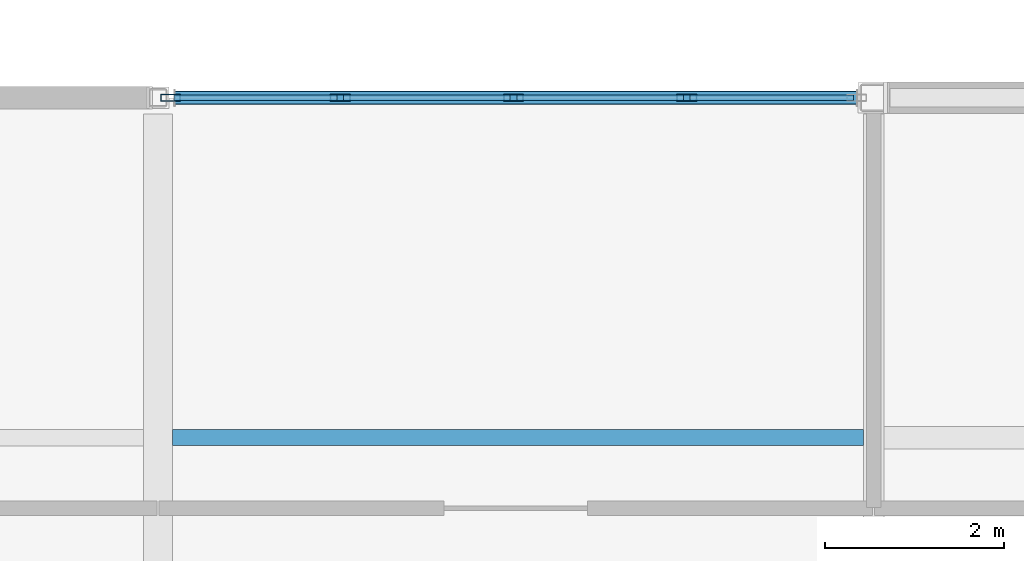
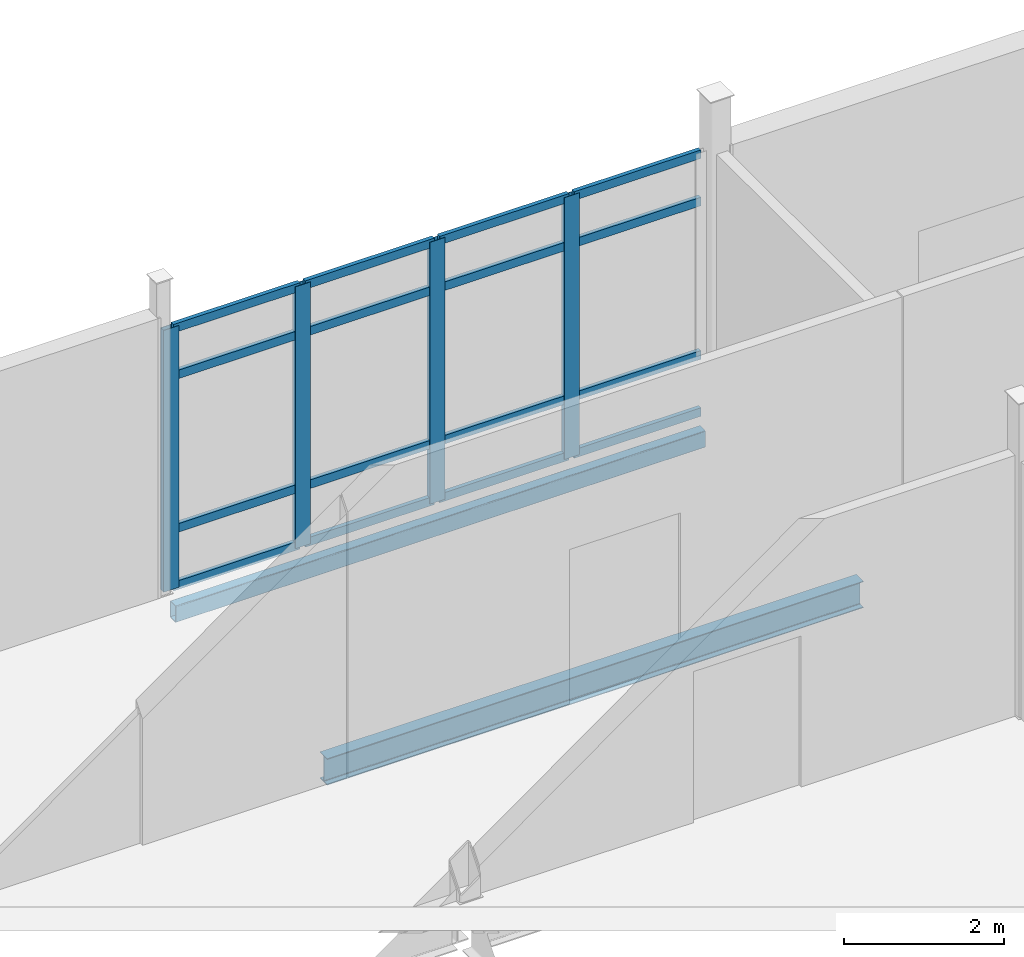
# One storey, part 65 of 186: 20 members, 2 beams, 1 element without a shape of its own.
"""IFC4 building model written with IfcOpenShell, lengths in metres."""

from ifc_helpers import new_model, si_unit, direction, frame, origin, origin_2d, place, context, subcontext, project, spatial, hollow_rectangle, i_section, extrude, material, layer, layer_set, material_profile, profile_set, type_object, element, aggregate, save


model = new_model("IFC4")

# Units and contexts
model_context = context("Model", 3, precision=1e-05, world=origin(), true_north=direction((0.0, 1.0)))
body_context = subcontext(model_context, "Body", "Model", "MODEL_VIEW")
ifc_project = project(units=[si_unit("LENGTHUNIT", "METRE"), si_unit("AREAUNIT", "SQUARE_METRE"), si_unit("VOLUMEUNIT", "CUBIC_METRE"), si_unit("PLANEANGLEUNIT", "RADIAN"), si_unit("MASSUNIT", "GRAM", prefix="KILO")], contexts=[model_context])

# Site, building, storey
site_placement = place(None, origin())
site = spatial("IfcSite", under=ifc_project, at=site_placement, CompositionType="ELEMENT")
building_placement = place(site_placement, origin())
building = spatial("IfcBuilding", under=site, at=building_placement, Name="Calvrana Isthmian Art Gallery", CompositionType="ELEMENT")
storey_placement = place(building_placement, frame((0.0, 0.0, 5.39990234375)))
storey = spatial("IfcBuildingStorey", under=building, at=storey_placement, Name="L01", CompositionType="ELEMENT", Elevation=5.39990234375)

# Beams
ifc_material_1 = material(Name="Steel ASTM A992 Gr 50", Category="steel")
ifc_material_profile_1 = material_profile(ifc_material_1, i_section(OverallWidth=0.177978515625, OverallDepth=0.404052734375, WebThickness=0.007568359375, FlangeThickness=0.010986328125, FilletRadius=0.01806640625, at=origin_2d()), Name="W16X36")
ifc_profile_set_1 = profile_set([ifc_material_profile_1], Name="Steel ASTM A992 Gr 50")
beam_type_1 = type_object("IfcBeamType", Name="BM-J-W16X36", PredefinedType="JOIST", material=ifc_profile_set_1)
beam_1_placement = place(storey_placement, frame((88.5625, 58.199951171875, -0.447021484375), z_axis=(1.0, 0.0, 0.0), x_axis=(0.0, 1.0, 0.0)))
element("IfcBeam", 1, at=beam_1_placement, inside=storey, type_object=beam_type_1, Name="Composite joist L01 bay 11-07", PredefinedType="JOIST", context=body_context, shape_type="SweptSolid", body=[
    extrude(i_section(OverallWidth=0.177978515625, OverallDepth=0.404052734375, WebThickness=0.007568359375, FlangeThickness=0.010986328125, FilletRadius=0.01806640625, at=origin_2d()), origin(), (0.0, 0.0, 1.0), 7.723388671875),
])
ifc_material_2 = material(Name="Steel ASTM A500 Gr C", Category="steel")
ifc_material_profile_2 = material_profile(ifc_material_2, hollow_rectangle(XDim=0.15234375, YDim=0.25390625, WallThickness=0.009521484375, OuterFilletRadius=0.01904296875, at=origin_2d()), Name="HSS254X152X9.5")
ifc_profile_set_2 = profile_set([ifc_material_profile_2], Name="Steel ASTM A500 Gr C")
beam_type_2 = type_object("IfcBeamType", Name="BM-SP-HSS254", PredefinedType="SPANDREL", material=ifc_profile_set_2)
beam_2_placement = place(storey_placement, frame((88.58642578125, 62.0, -0.371826171875), z_axis=(1.0, 0.0, 0.0), x_axis=(0.0, 1.0, 0.0)))
element("IfcBeam", 2, at=beam_2_placement, inside=storey, type_object=beam_type_2, Name="Girder X L01 12-13/I", PredefinedType="SPANDREL", context=body_context, shape_type="SweptSolid", body=[
    extrude(hollow_rectangle(XDim=0.15234375, YDim=0.25390625, WallThickness=0.009521484375, OuterFilletRadius=0.01904296875, at=origin_2d()), origin(), (0.0, 0.0, 1.0), 7.628173828125),
])

# Curtain wall, members
ifc_material_3 = material(Name="Anodized bronze aluminium 6063-T6", Category="aluminium")
ifc_layer = layer(ifc_material_3, 0.179931640625, Name="Anodized bronze aluminium 6063-T6")
ifc_layer_set = layer_set([ifc_layer], Name="Anodized bronze aluminium 6063-T6")
curtain_wall_type = type_object("IfcCurtainWallType", Name="CW-STICK-077X40", PredefinedType="NOTDEFINED", material=ifc_layer_set)
curtain_wall_placement = place(storey_placement, origin())
curtain_wall = element("IfcCurtainWall", 3, at=curtain_wall_placement, inside=storey, type_object=curtain_wall_type, Name="Curtain wall CW-106", PredefinedType="NOTDEFINED")
ifc_material_profile_3 = material_profile(ifc_material_3, hollow_rectangle(XDim=0.074951171875, YDim=0.219970703125, WallThickness=0.0048828125, at=origin_2d()), Name="CWM75X220")
ifc_profile_set_3 = profile_set([ifc_material_profile_3], Name="Anodized bronze aluminium 6063-T6")
member_type_1 = type_object("IfcMemberType", Name="CWM-CWM75X220", PredefinedType="MULLION", material=ifc_profile_set_3)
member_1_placement = place(storey_placement, frame((88.5390625, 62.0, 0.0), z_axis=(0.0, 0.0, 1.0), x_axis=(0.0, 1.0, 0.0)))
member_1 = element("IfcMember", 4, at=member_1_placement, type_object=member_type_1, Name="CW-106 mullion 1", PredefinedType="MULLION", context=body_context, shape_type="SweptSolid", body=[
    extrude(hollow_rectangle(XDim=0.074951171875, YDim=0.219970703125, WallThickness=0.0048828125, at=origin_2d()), origin(), (0.0, 0.0, 1.0), 3.987060546875),
])
member_2_placement = place(storey_placement, frame((90.43798828125, 62.0, 0.0), z_axis=(0.0, 0.0, 1.0), x_axis=(0.0, 1.0, 0.0)))
member_2 = element("IfcMember", 5, at=member_2_placement, type_object=member_type_1, Name="CW-106 mullion 2", PredefinedType="MULLION", context=body_context, shape_type="SweptSolid", body=[
    extrude(hollow_rectangle(XDim=0.074951171875, YDim=0.219970703125, WallThickness=0.0048828125, at=origin_2d()), origin(), (0.0, 0.0, 1.0), 3.987060546875),
])
member_3_placement = place(storey_placement, frame((92.37451171875, 62.0, 0.0), z_axis=(0.0, 0.0, 1.0), x_axis=(0.0, 1.0, 0.0)))
member_3 = element("IfcMember", 6, at=member_3_placement, type_object=member_type_1, Name="CW-106 mullion 3", PredefinedType="MULLION", context=body_context, shape_type="SweptSolid", body=[
    extrude(hollow_rectangle(XDim=0.074951171875, YDim=0.219970703125, WallThickness=0.0048828125, at=origin_2d()), origin(), (0.0, 0.0, 1.0), 3.987060546875),
])
member_4_placement = place(storey_placement, frame((94.31103515625, 62.0, 0.0), z_axis=(0.0, 0.0, 1.0), x_axis=(0.0, 1.0, 0.0)))
member_4 = element("IfcMember", 7, at=member_4_placement, type_object=member_type_1, Name="CW-106 mullion 4", PredefinedType="MULLION", context=body_context, shape_type="SweptSolid", body=[
    extrude(hollow_rectangle(XDim=0.074951171875, YDim=0.219970703125, WallThickness=0.0048828125, at=origin_2d()), origin(), (0.0, 0.0, 1.0), 3.987060546875),
])
ifc_material_profile_4 = material_profile(ifc_material_3, hollow_rectangle(XDim=0.06005859375, YDim=0.1298828125, WallThickness=0.00390625, at=origin_2d()), Name="CWT60X130")
ifc_profile_set_4 = profile_set([ifc_material_profile_4], Name="Anodized bronze aluminium 6063-T6")
member_type_2 = type_object("IfcMemberType", Name="CWT-CWT60X130", PredefinedType="USERDEFINED", material=ifc_profile_set_4)
member_5_placement = place(storey_placement, frame((88.57666015625, 62.0, 0.030029296875), z_axis=(1.0, 0.0, 0.0), x_axis=(0.0, 1.0, 0.0)))
member_5 = element("IfcMember", 8, at=member_5_placement, type_object=member_type_2, Name="CW-106 transom 1.1", ObjectType="TRANSOM", PredefinedType="USERDEFINED", context=body_context, shape_type="SweptSolid", body=[
    extrude(hollow_rectangle(XDim=0.06005859375, YDim=0.1298828125, WallThickness=0.00390625, at=origin_2d()), origin(), (0.0, 0.0, 1.0), 1.823974609375),
])
member_6_placement = place(storey_placement, frame((88.57666015625, 62.0, 0.900146484375), z_axis=(1.0, 0.0, 0.0), x_axis=(0.0, 1.0, 0.0)))
member_6 = element("IfcMember", 9, at=member_6_placement, type_object=member_type_2, Name="CW-106 transom 1.2", ObjectType="TRANSOM", PredefinedType="USERDEFINED", context=body_context, shape_type="SweptSolid", body=[
    extrude(hollow_rectangle(XDim=0.06005859375, YDim=0.1298828125, WallThickness=0.00390625, at=origin_2d()), origin(), (0.0, 0.0, 1.0), 1.823974609375),
])
member_7_placement = place(storey_placement, frame((88.57666015625, 62.0, 3.237060546875), z_axis=(1.0, 0.0, 0.0), x_axis=(0.0, 1.0, 0.0)))
member_7 = element("IfcMember", 10, at=member_7_placement, type_object=member_type_2, Name="CW-106 transom 1.3", ObjectType="TRANSOM", PredefinedType="USERDEFINED", context=body_context, shape_type="SweptSolid", body=[
    extrude(hollow_rectangle(XDim=0.06005859375, YDim=0.1298828125, WallThickness=0.00390625, at=origin_2d()), origin(), (0.0, 0.0, 1.0), 1.823974609375),
])
member_8_placement = place(storey_placement, frame((88.57666015625, 62.0, 3.95703125), z_axis=(1.0, 0.0, 0.0), x_axis=(0.0, 1.0, 0.0)))
member_8 = element("IfcMember", 11, at=member_8_placement, type_object=member_type_2, Name="CW-106 transom 1.4", ObjectType="TRANSOM", PredefinedType="USERDEFINED", context=body_context, shape_type="SweptSolid", body=[
    extrude(hollow_rectangle(XDim=0.06005859375, YDim=0.1298828125, WallThickness=0.00390625, at=origin_2d()), origin(), (0.0, 0.0, 1.0), 1.823974609375),
])
member_9_placement = place(storey_placement, frame((90.4755859375, 62.0, 0.030029296875), z_axis=(1.0, 0.0, 0.0), x_axis=(0.0, 1.0, 0.0)))
member_9 = element("IfcMember", 12, at=member_9_placement, type_object=member_type_2, Name="CW-106 transom 2.1", ObjectType="TRANSOM", PredefinedType="USERDEFINED", context=body_context, shape_type="SweptSolid", body=[
    extrude(hollow_rectangle(XDim=0.06005859375, YDim=0.1298828125, WallThickness=0.00390625, at=origin_2d()), origin(), (0.0, 0.0, 1.0), 1.861572265625),
])
member_10_placement = place(storey_placement, frame((90.4755859375, 62.0, 0.900146484375), z_axis=(1.0, 0.0, 0.0), x_axis=(0.0, 1.0, 0.0)))
member_10 = element("IfcMember", 13, at=member_10_placement, type_object=member_type_2, Name="CW-106 transom 2.2", ObjectType="TRANSOM", PredefinedType="USERDEFINED", context=body_context, shape_type="SweptSolid", body=[
    extrude(hollow_rectangle(XDim=0.06005859375, YDim=0.1298828125, WallThickness=0.00390625, at=origin_2d()), origin(), (0.0, 0.0, 1.0), 1.861572265625),
])
member_11_placement = place(storey_placement, frame((90.4755859375, 62.0, 3.237060546875), z_axis=(1.0, 0.0, 0.0), x_axis=(0.0, 1.0, 0.0)))
member_11 = element("IfcMember", 14, at=member_11_placement, type_object=member_type_2, Name="CW-106 transom 2.3", ObjectType="TRANSOM", PredefinedType="USERDEFINED", context=body_context, shape_type="SweptSolid", body=[
    extrude(hollow_rectangle(XDim=0.06005859375, YDim=0.1298828125, WallThickness=0.00390625, at=origin_2d()), origin(), (0.0, 0.0, 1.0), 1.861572265625),
])
member_12_placement = place(storey_placement, frame((90.4755859375, 62.0, 3.95703125), z_axis=(1.0, 0.0, 0.0), x_axis=(0.0, 1.0, 0.0)))
member_12 = element("IfcMember", 15, at=member_12_placement, type_object=member_type_2, Name="CW-106 transom 2.4", ObjectType="TRANSOM", PredefinedType="USERDEFINED", context=body_context, shape_type="SweptSolid", body=[
    extrude(hollow_rectangle(XDim=0.06005859375, YDim=0.1298828125, WallThickness=0.00390625, at=origin_2d()), origin(), (0.0, 0.0, 1.0), 1.861572265625),
])
member_13_placement = place(storey_placement, frame((92.412109375, 62.0, 0.030029296875), z_axis=(1.0, 0.0, 0.0), x_axis=(0.0, 1.0, 0.0)))
member_13 = element("IfcMember", 16, at=member_13_placement, type_object=member_type_2, Name="CW-106 transom 3.1", ObjectType="TRANSOM", PredefinedType="USERDEFINED", context=body_context, shape_type="SweptSolid", body=[
    extrude(hollow_rectangle(XDim=0.06005859375, YDim=0.1298828125, WallThickness=0.00390625, at=origin_2d()), origin(), (0.0, 0.0, 1.0), 1.861572265625),
])
member_14_placement = place(storey_placement, frame((92.412109375, 62.0, 0.900146484375), z_axis=(1.0, 0.0, 0.0), x_axis=(0.0, 1.0, 0.0)))
member_14 = element("IfcMember", 17, at=member_14_placement, type_object=member_type_2, Name="CW-106 transom 3.2", ObjectType="TRANSOM", PredefinedType="USERDEFINED", context=body_context, shape_type="SweptSolid", body=[
    extrude(hollow_rectangle(XDim=0.06005859375, YDim=0.1298828125, WallThickness=0.00390625, at=origin_2d()), origin(), (0.0, 0.0, 1.0), 1.861572265625),
])
member_15_placement = place(storey_placement, frame((92.412109375, 62.0, 3.237060546875), z_axis=(1.0, 0.0, 0.0), x_axis=(0.0, 1.0, 0.0)))
member_15 = element("IfcMember", 18, at=member_15_placement, type_object=member_type_2, Name="CW-106 transom 3.3", ObjectType="TRANSOM", PredefinedType="USERDEFINED", context=body_context, shape_type="SweptSolid", body=[
    extrude(hollow_rectangle(XDim=0.06005859375, YDim=0.1298828125, WallThickness=0.00390625, at=origin_2d()), origin(), (0.0, 0.0, 1.0), 1.861572265625),
])
member_16_placement = place(storey_placement, frame((92.412109375, 62.0, 3.95703125), z_axis=(1.0, 0.0, 0.0), x_axis=(0.0, 1.0, 0.0)))
member_16 = element("IfcMember", 19, at=member_16_placement, type_object=member_type_2, Name="CW-106 transom 3.4", ObjectType="TRANSOM", PredefinedType="USERDEFINED", context=body_context, shape_type="SweptSolid", body=[
    extrude(hollow_rectangle(XDim=0.06005859375, YDim=0.1298828125, WallThickness=0.00390625, at=origin_2d()), origin(), (0.0, 0.0, 1.0), 1.861572265625),
])
member_17_placement = place(storey_placement, frame((94.3486328125, 62.0, 0.030029296875), z_axis=(1.0, 0.0, 0.0), x_axis=(0.0, 1.0, 0.0)))
member_17 = element("IfcMember", 20, at=member_17_placement, type_object=member_type_2, Name="CW-106 transom 4.1", ObjectType="TRANSOM", PredefinedType="USERDEFINED", context=body_context, shape_type="SweptSolid", body=[
    extrude(hollow_rectangle(XDim=0.06005859375, YDim=0.1298828125, WallThickness=0.00390625, at=origin_2d()), origin(), (0.0, 0.0, 1.0), 1.823974609375),
])
member_18_placement = place(storey_placement, frame((94.3486328125, 62.0, 0.900146484375), z_axis=(1.0, 0.0, 0.0), x_axis=(0.0, 1.0, 0.0)))
member_18 = element("IfcMember", 21, at=member_18_placement, type_object=member_type_2, Name="CW-106 transom 4.2", ObjectType="TRANSOM", PredefinedType="USERDEFINED", context=body_context, shape_type="SweptSolid", body=[
    extrude(hollow_rectangle(XDim=0.06005859375, YDim=0.1298828125, WallThickness=0.00390625, at=origin_2d()), origin(), (0.0, 0.0, 1.0), 1.823974609375),
])
member_19_placement = place(storey_placement, frame((94.3486328125, 62.0, 3.237060546875), z_axis=(1.0, 0.0, 0.0), x_axis=(0.0, 1.0, 0.0)))
member_19 = element("IfcMember", 22, at=member_19_placement, type_object=member_type_2, Name="CW-106 transom 4.3", ObjectType="TRANSOM", PredefinedType="USERDEFINED", context=body_context, shape_type="SweptSolid", body=[
    extrude(hollow_rectangle(XDim=0.06005859375, YDim=0.1298828125, WallThickness=0.00390625, at=origin_2d()), origin(), (0.0, 0.0, 1.0), 1.823974609375),
])
member_20_placement = place(storey_placement, frame((94.3486328125, 62.0, 3.95703125), z_axis=(1.0, 0.0, 0.0), x_axis=(0.0, 1.0, 0.0)))
member_20 = element("IfcMember", 23, at=member_20_placement, type_object=member_type_2, Name="CW-106 transom 4.4", ObjectType="TRANSOM", PredefinedType="USERDEFINED", context=body_context, shape_type="SweptSolid", body=[
    extrude(hollow_rectangle(XDim=0.06005859375, YDim=0.1298828125, WallThickness=0.00390625, at=origin_2d()), origin(), (0.0, 0.0, 1.0), 1.823974609375),
])
aggregate(curtain_wall, [member_1, member_2, member_3, member_4, member_5, member_6, member_7, member_8, member_9, member_10, member_11, member_12, member_13, member_14, member_15, member_16, member_17, member_18, member_19, member_20])

save(model, "model.ifc")
